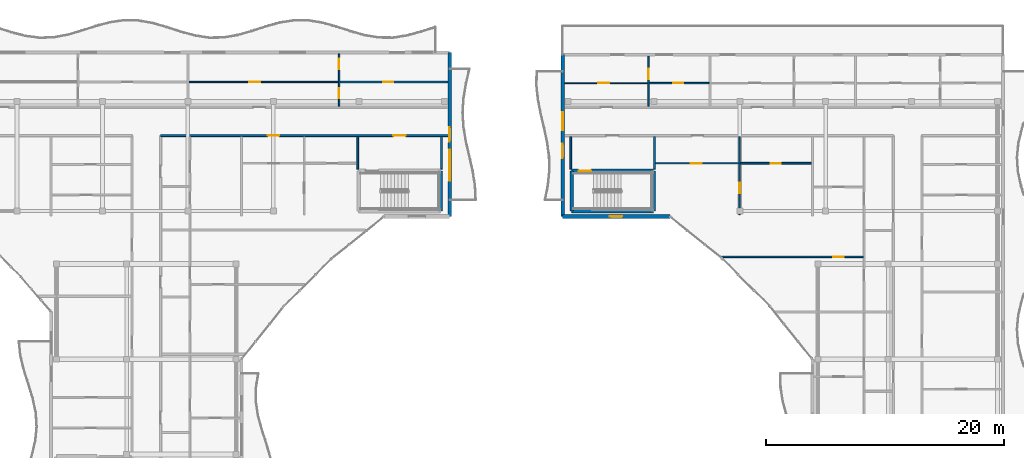
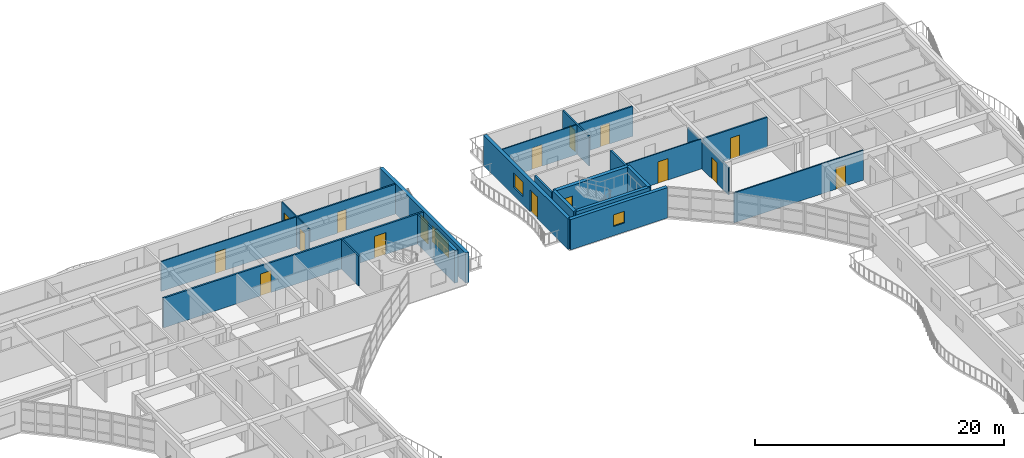
# One storey, part 24 of 39: 23 walls, 16 doors, 3 windows, 19 openings.
"""IFC4 building model written with IfcOpenShell, lengths in metres."""

from ifc_helpers import new_model, si_unit, direction, frame, frame_2d, origin, place, context, subcontext, project, spatial, rectangle, extrude, material, layer, layer_set, type_object, element, fill, save


model = new_model("IFC4")

# Units and contexts
model_context = context("Model", 3, precision=1e-05, world=origin(), true_north=direction((0.0, 1.0)))
body_context = subcontext(model_context, "Body", "Model", "MODEL_VIEW")
ifc_project = project(units=[si_unit("LENGTHUNIT", "METRE"), si_unit("AREAUNIT", "SQUARE_METRE"), si_unit("VOLUMEUNIT", "CUBIC_METRE"), si_unit("PLANEANGLEUNIT", "RADIAN"), si_unit("MASSUNIT", "GRAM", prefix="KILO")], contexts=[model_context])

# Site, building, storey
site_placement = place(None, origin())
site = spatial("IfcSite", under=ifc_project, at=site_placement, CompositionType="ELEMENT")
building_placement = place(site_placement, origin())
building = spatial("IfcBuilding", under=site, at=building_placement, Name="Keldmere Railside Commons", CompositionType="ELEMENT")
storey_placement = place(building_placement, frame((0.0, 0.0, 32.9599609375)))
storey = spatial("IfcBuildingStorey", under=building, at=storey_placement, Name="L10", CompositionType="ELEMENT", Elevation=32.9599609375)

# Wall, openings, doors
ifc_material_1 = material(Name="Acoustic Gypsum Board Partition", Category="gypsum")
ifc_layer_1 = layer(ifc_material_1, 0.1201171875, Name="Apartment Interior Partition 120")
ifc_layer_set_1 = layer_set([ifc_layer_1], Name="Acoustic Gypsum Board Partition")
wall_type_1 = type_object("IfcWallType", Name="Apartment Interior Partition 120", PredefinedType="PARTITIONING", material=ifc_layer_set_1)
wall_1_placement = place(storey_placement, frame((128.2099609375, 109.280029296875, 0.0), z_axis=(0.0, 0.0, 1.0), x_axis=(0.0, 1.0, 0.0)))
wall_1 = element("IfcWall", 1, at=wall_1_placement, inside=storey, type_object=wall_type_1, Name="IW-4 IW-L10-1343", PredefinedType="PARTITIONING", context=body_context, shape_type="SweptSolid", body=[
    extrude(rectangle(XDim=4.389892578125, YDim=0.1201171875, at=frame_2d((2.19482421875, 0.0))), origin(), (0.0, 0.0, 1.0), 2.93505859375),
])
opening_1_placement = place(wall_1_placement, frame((0.646484375, 0.0, 0.0)))
opening_1 = element("IfcOpeningElement", 2, at=opening_1_placement, cuts=wall_1, Name="Opening ID-04", PredefinedType="OPENING", context=body_context, shape_type="SweptSolid", body=[
    extrude(rectangle(XDim=0.860107421875, YDim=2.10009765625, at=frame_2d((0.43017578125, 1.050048828125))), frame((0.0, 0.070068359375, 0.0), z_axis=(0.0, -1.0, 0.0), x_axis=(1.0, 0.0, 0.0)), (0.0, 0.0, 1.0), 0.14013671875),
])
opening_2_placement = place(wall_1_placement, frame((3.08642578125, 0.0, 0.0)))
opening_2 = element("IfcOpeningElement", 3, at=opening_2_placement, cuts=wall_1, Name="Opening ID-01", PredefinedType="OPENING", context=body_context, shape_type="SweptSolid", body=[
    extrude(rectangle(XDim=0.89990234375, YDim=2.10009765625, at=frame_2d((0.449951171875, 1.050048828125))), frame((0.0, 0.070068359375, 0.0), z_axis=(0.0, -1.0, 0.0), x_axis=(1.0, 0.0, 0.0)), (0.0, 0.0, 1.0), 0.14013671875),
])
ifc_material_2 = material(Name="Engineered Oak Timber", Category="wood")
door_type_1 = type_object("IfcDoorType", Name="Apartment Bathroom Door 860x2100", OperationType="NOTDEFINED", PredefinedType="DOOR", material=ifc_material_2)
door_1_placement = place(opening_1_placement, origin())
door_1 = element("IfcDoor", 4, at=door_1_placement, inside=storey, type_object=door_type_1, Name="ID-04 IDR-L10-1201", OperationType="SINGLE_SWING_LEFT", OverallHeight=2.10009765625, OverallWidth=0.860107421875, PredefinedType="DOOR", context=body_context, shape_type="SweptSolid", body=[
    extrude(rectangle(XDim=0.860107421875, YDim=2.10009765625, at=frame_2d((0.43017578125, 1.050048828125))), frame((0.0, 0.02490234375, 0.0), z_axis=(0.0, -1.0, 0.0), x_axis=(1.0, 0.0, 0.0)), (0.0, 0.0, 1.0), 0.050048828125),
])
fill(opening_1, door_1)
door_type_2 = type_object("IfcDoorType", Name="Primary Bedroom Door 900x2100", OperationType="NOTDEFINED", PredefinedType="DOOR", material=ifc_material_2)
door_2_placement = place(opening_2_placement, origin())
door_2 = element("IfcDoor", 5, at=door_2_placement, inside=storey, type_object=door_type_2, Name="ID-01 IDR-L10-1202", OperationType="SINGLE_SWING_RIGHT", OverallHeight=2.10009765625, OverallWidth=0.89990234375, PredefinedType="DOOR", context=body_context, shape_type="SweptSolid", body=[
    extrude(rectangle(XDim=0.89990234375, YDim=2.10009765625, at=frame_2d((0.449951171875, 1.050048828125))), frame((0.0, 0.02490234375, 0.0), z_axis=(0.0, -1.0, 0.0), x_axis=(1.0, 0.0, 0.0)), (0.0, 0.0, 1.0), 0.050048828125),
])
fill(opening_2, door_2)

# Wall, opening, door
wall_2_placement = place(storey_placement, frame((160.28955078125, 96.610107421875, 0.0), z_axis=(0.0, 0.0, 1.0), x_axis=(1.0, 0.0, 0.0)))
wall_2 = element("IfcWall", 6, at=wall_2_placement, inside=storey, type_object=wall_type_1, Name="IW-4 IW-L10-1829", PredefinedType="PARTITIONING", context=body_context, shape_type="SweptSolid", body=[
    extrude(rectangle(XDim=11.990478515625, YDim=0.1201171875, at=frame_2d((5.9951171875, 0.0))), origin(), (0.0, 0.0, 1.0), 2.93505859375),
])
opening_3_placement = place(wall_2_placement, frame((9.446044921875, 0.0, 0.0)))
opening_3 = element("IfcOpeningElement", 7, at=opening_3_placement, cuts=wall_2, Name="Opening ID-01", PredefinedType="OPENING", context=body_context, shape_type="SweptSolid", body=[
    extrude(rectangle(XDim=0.89990234375, YDim=2.10009765625, at=frame_2d((0.449951171875, 1.050048828125))), frame((0.0, 0.070068359375, 0.0), z_axis=(0.0, -1.0, 0.0), x_axis=(1.0, 0.0, 0.0)), (0.0, 0.0, 1.0), 0.14013671875),
])
door_3_placement = place(opening_3_placement, origin())
door_3 = element("IfcDoor", 8, at=door_3_placement, inside=storey, type_object=door_type_2, Name="ID-01 IDR-L10-1671", OperationType="SINGLE_SWING_LEFT", OverallHeight=2.10009765625, OverallWidth=0.89990234375, PredefinedType="DOOR", context=body_context, shape_type="SweptSolid", body=[
    extrude(rectangle(XDim=0.89990234375, YDim=2.10009765625, at=frame_2d((0.449951171875, 1.050048828125))), frame((0.0, 0.02490234375, 0.0), z_axis=(0.0, -1.0, 0.0), x_axis=(1.0, 0.0, 0.0)), (0.0, 0.0, 1.0), 0.050048828125),
])
fill(opening_3, door_3)

wall_3_placement = place(storey_placement, frame((154.199951171875, 109.280029296875, 0.0), z_axis=(0.0, 0.0, 1.0), x_axis=(0.0, 1.0, 0.0)))
wall_3 = element("IfcWall", 9, at=wall_3_placement, inside=storey, type_object=wall_type_1, Name="IW-4 IW-L10-1833", PredefinedType="PARTITIONING", context=body_context, shape_type="SweptSolid", body=[
    extrude(rectangle(XDim=4.199951171875, YDim=0.1201171875, at=frame_2d((2.10009765625, 0.0))), origin(), (0.0, 0.0, 1.0), 2.93505859375),
])
opening_4_placement = place(wall_3_placement, frame((2.267578125, 0.0, 0.0)))
opening_4 = element("IfcOpeningElement", 10, at=opening_4_placement, cuts=wall_3, Name="Opening ID-04", PredefinedType="OPENING", context=body_context, shape_type="SweptSolid", body=[
    extrude(rectangle(XDim=0.860107421875, YDim=2.10009765625, at=frame_2d((0.43017578125, 1.050048828125))), frame((0.0, 0.070068359375, 0.0), z_axis=(0.0, -1.0, 0.0), x_axis=(1.0, 0.0, 0.0)), (0.0, 0.0, 1.0), 0.14013671875),
])
door_4_placement = place(opening_4_placement, origin())
door_4 = element("IfcDoor", 11, at=door_4_placement, inside=storey, type_object=door_type_1, Name="ID-04 IDR-L10-1675", OperationType="SINGLE_SWING_LEFT", OverallHeight=2.10009765625, OverallWidth=0.860107421875, PredefinedType="DOOR", context=body_context, shape_type="SweptSolid", body=[
    extrude(rectangle(XDim=0.860107421875, YDim=2.10009765625, at=frame_2d((0.43017578125, 1.050048828125))), frame((0.0, 0.02490234375, 0.0), z_axis=(0.0, -1.0, 0.0), x_axis=(1.0, 0.0, 0.0)), (0.0, 0.0, 1.0), 0.050048828125),
])
fill(opening_4, door_4)

wall_4_placement = place(storey_placement, frame((161.8798828125, 100.159912109375, 0.0), z_axis=(0.0, 0.0, 1.0), x_axis=(0.0, 1.0, 0.0)))
wall_4 = element("IfcWall", 12, at=wall_4_placement, inside=storey, type_object=wall_type_1, Name="IW-4 IW-L10-1842", PredefinedType="PARTITIONING", context=body_context, shape_type="SweptSolid", body=[
    extrude(rectangle(XDim=6.56005859375, YDim=0.1201171875, at=frame_2d((3.280029296875, 0.0))), origin(), (0.0, 0.0, 1.0), 2.679931640625),
])
opening_5_placement = place(wall_4_placement, frame((1.810302734375, 0.0, 0.0)))
opening_5 = element("IfcOpeningElement", 13, at=opening_5_placement, cuts=wall_4, Name="Opening ID-02", PredefinedType="OPENING", context=body_context, shape_type="SweptSolid", body=[
    extrude(rectangle(XDim=0.8798828125, YDim=2.10009765625, at=frame_2d((0.43994140625, 1.050048828125))), frame((0.0, 0.070068359375, 0.0), z_axis=(0.0, -1.0, 0.0), x_axis=(1.0, 0.0, 0.0)), (0.0, 0.0, 1.0), 0.14013671875),
])
door_type_3 = type_object("IfcDoorType", Name="Secondary Bedroom Door 880x2100", OperationType="NOTDEFINED", PredefinedType="DOOR", material=ifc_material_2)
door_5_placement = place(opening_5_placement, origin())
door_5 = element("IfcDoor", 14, at=door_5_placement, inside=storey, type_object=door_type_3, Name="ID-02 IDR-L10-1689", OperationType="SINGLE_SWING_LEFT", OverallHeight=2.10009765625, OverallWidth=0.8798828125, PredefinedType="DOOR", context=body_context, shape_type="SweptSolid", body=[
    extrude(rectangle(XDim=0.8798828125, YDim=2.10009765625, at=frame_2d((0.43994140625, 1.050048828125))), frame((0.0, 0.02490234375, 0.0), z_axis=(0.0, -1.0, 0.0), x_axis=(1.0, 0.0, 0.0)), (0.0, 0.0, 1.0), 0.050048828125),
])
fill(opening_5, door_5)

ifc_layer_2 = layer(ifc_material_1, 0.10009765625, Name="Closet Light Partition 100")
ifc_layer_set_2 = layer_set([ifc_layer_2], Name="Acoustic Gypsum Board Partition")
wall_type_2 = type_object("IfcWallType", Name="Closet Light Partition 100", PredefinedType="PARTITIONING", material=ifc_layer_set_2)
wall_5_placement = place(storey_placement, frame((115.590087890625, 111.300048828125, 0.0), z_axis=(0.0, 0.0, 1.0), x_axis=(1.0, 0.0, 0.0)))
wall_5 = element("IfcWall", 15, at=wall_5_placement, inside=storey, type_object=wall_type_2, Name="IW-6 IW-L10-1345", PredefinedType="PARTITIONING", context=body_context, shape_type="SweptSolid", body=[
    extrude(rectangle(XDim=12.559814453125, YDim=0.10009765625, at=frame_2d((6.27978515625, 0.0))), origin(), (0.0, 0.0, 1.0), 2.93505859375),
])
opening_6_placement = place(wall_5_placement, frame((5.048095703125, 0.0, 0.0)))
opening_6 = element("IfcOpeningElement", 16, at=opening_6_placement, cuts=wall_5, Name="Opening ID-03", PredefinedType="OPENING", context=body_context, shape_type="SweptSolid", body=[
    extrude(rectangle(XDim=0.919921875, YDim=2.10009765625, at=frame_2d((0.4599609375, 1.050048828125))), frame((0.0, 0.06005859375, 0.0), z_axis=(0.0, -1.0, 0.0), x_axis=(1.0, 0.0, 0.0)), (0.0, 0.0, 1.0), 0.1201171875),
])
door_type_4 = type_object("IfcDoorType", Name="Kitchen Pocket-Frame Swing Door 920x2100", OperationType="NOTDEFINED", PredefinedType="DOOR", material=ifc_material_2)
door_6_placement = place(opening_6_placement, origin())
door_6 = element("IfcDoor", 17, at=door_6_placement, inside=storey, type_object=door_type_4, Name="ID-03 IDR-L10-1200", OperationType="SINGLE_SWING_RIGHT", OverallHeight=2.10009765625, OverallWidth=0.919921875, PredefinedType="DOOR", context=body_context, shape_type="SweptSolid", body=[
    extrude(rectangle(XDim=0.919921875, YDim=2.10009765625, at=frame_2d((0.4599609375, 1.050048828125))), frame((0.0, 0.02490234375, 0.0), z_axis=(0.0, -1.0, 0.0), x_axis=(1.0, 0.0, 0.0)), (0.0, 0.0, 1.0), 0.050048828125),
])
fill(opening_6, door_6)

wall_6_placement = place(storey_placement, frame((147.159912109375, 111.2099609375, 0.0), z_axis=(0.0, 0.0, 1.0), x_axis=(1.0, 0.0, 0.0)))
wall_6 = element("IfcWall", 18, at=wall_6_placement, inside=storey, type_object=wall_type_2, Name="IW-6 IW-L10-1835", PredefinedType="PARTITIONING", context=body_context, shape_type="SweptSolid", body=[
    extrude(rectangle(XDim=6.97998046875, YDim=0.10009765625, at=frame_2d((3.489990234375, 0.0))), origin(), (0.0, 0.0, 1.0), 2.93505859375),
])
opening_7_placement = place(wall_6_placement, frame((2.81591796875, 0.0, 0.0)))
opening_7 = element("IfcOpeningElement", 19, at=opening_7_placement, cuts=wall_6, Name="Opening ID-03", PredefinedType="OPENING", context=body_context, shape_type="SweptSolid", body=[
    extrude(rectangle(XDim=0.919921875, YDim=2.10009765625, at=frame_2d((0.4599609375, 1.050048828125))), frame((0.0, 0.06005859375, 0.0), z_axis=(0.0, -1.0, 0.0), x_axis=(1.0, 0.0, 0.0)), (0.0, 0.0, 1.0), 0.1201171875),
])
door_7_placement = place(opening_7_placement, origin())
door_7 = element("IfcDoor", 20, at=door_7_placement, inside=storey, type_object=door_type_4, Name="ID-03 IDR-L10-1674", OperationType="SINGLE_SWING_RIGHT", OverallHeight=2.10009765625, OverallWidth=0.919921875, PredefinedType="DOOR", context=body_context, shape_type="SweptSolid", body=[
    extrude(rectangle(XDim=0.919921875, YDim=2.10009765625, at=frame_2d((0.4599609375, 1.050048828125))), frame((0.0, 0.02490234375, 0.0), z_axis=(0.0, -1.0, 0.0), x_axis=(1.0, 0.0, 0.0)), (0.0, 0.0, 1.0), 0.050048828125),
])
fill(opening_7, door_7)

wall_7_placement = place(storey_placement, frame((154.800048828125, 104.469970703125, 0.0), z_axis=(0.0, 0.0, 1.0), x_axis=(1.0, 0.0, 0.0)))
wall_7 = element("IfcWall", 21, at=wall_7_placement, inside=storey, type_object=wall_type_2, Name="IW-6 IW-L10-1844", PredefinedType="PARTITIONING", context=body_context, shape_type="SweptSolid", body=[
    extrude(rectangle(XDim=7.02001953125, YDim=0.10009765625, at=frame_2d((3.510009765625, 0.0))), origin(), (0.0, 0.0, 1.0), 2.93505859375),
])
opening_8_placement = place(wall_7_placement, frame((2.9736328125, 0.0, 0.0)))
opening_8 = element("IfcOpeningElement", 22, at=opening_8_placement, cuts=wall_7, Name="Opening ID-03", PredefinedType="OPENING", context=body_context, shape_type="SweptSolid", body=[
    extrude(rectangle(XDim=0.919921875, YDim=2.10009765625, at=frame_2d((0.4599609375, 1.050048828125))), frame((0.0, 0.06005859375, 0.0), z_axis=(0.0, -1.0, 0.0), x_axis=(1.0, 0.0, 0.0)), (0.0, 0.0, 1.0), 0.1201171875),
])
door_8_placement = place(opening_8_placement, origin())
door_8 = element("IfcDoor", 23, at=door_8_placement, inside=storey, type_object=door_type_4, Name="ID-03 IDR-L10-1688", OperationType="SINGLE_SWING_RIGHT", OverallHeight=2.10009765625, OverallWidth=0.919921875, PredefinedType="DOOR", context=body_context, shape_type="SweptSolid", body=[
    extrude(rectangle(XDim=0.919921875, YDim=2.10009765625, at=frame_2d((0.4599609375, 1.050048828125))), frame((0.0, 0.02490234375, 0.0), z_axis=(0.0, -1.0, 0.0), x_axis=(1.0, 0.0, 0.0)), (0.0, 0.0, 1.0), 0.050048828125),
])
fill(opening_8, door_8)

# Wall, openings, doors
ifc_layer_3 = layer(ifc_material_1, 0.159912109375, Name="Corridor Fire Partition 160")
ifc_layer_set_3 = layer_set([ifc_layer_3], Name="Acoustic Gypsum Board Partition")
wall_type_3 = type_object("IfcWallType", Name="Corridor Fire Partition 160", PredefinedType="PARTITIONING", material=ifc_layer_set_3)
wall_8_placement = place(storey_placement, frame((113.199951171875, 106.800048828125, 0.0), z_axis=(0.0, 0.0, 1.0), x_axis=(1.0, 0.0, 0.0)))
wall_8 = element("IfcWall", 24, at=wall_8_placement, inside=storey, type_object=wall_type_3, Name="IW-2 IW-L10-1322", PredefinedType="PARTITIONING", context=body_context, shape_type="SweptSolid", body=[
    extrude(rectangle(XDim=24.14013671875, YDim=0.159912109375, at=frame_2d((12.070068359375, 0.0))), origin(), (0.0, 0.0, 1.0), 2.93505859375),
])
opening_9_placement = place(wall_8_placement, frame((19.574951171875, 0.0, 0.0)))
opening_9 = element("IfcOpeningElement", 25, at=opening_9_placement, cuts=wall_8, Name="Opening FD-1", PredefinedType="OPENING", context=body_context, shape_type="SweptSolid", body=[
    extrude(rectangle(XDim=1.050048828125, YDim=2.14990234375, at=frame_2d((0.52490234375, 1.074951171875))), frame((0.0, 0.08984375, 0.0), z_axis=(0.0, -1.0, 0.0), x_axis=(1.0, 0.0, 0.0)), (0.0, 0.0, 1.0), 0.179931640625),
])
opening_10_placement = place(wall_8_placement, frame((8.9951171875, 0.0, 0.0)))
opening_10 = element("IfcOpeningElement", 26, at=opening_10_placement, cuts=wall_8, Name="Opening FD-7", PredefinedType="OPENING", context=body_context, shape_type="SweptSolid", body=[
    extrude(rectangle(XDim=0.97998046875, YDim=2.14990234375, at=frame_2d((0.489990234375, 1.074951171875))), frame((0.0, 0.08984375, 0.0), z_axis=(0.0, -1.0, 0.0), x_axis=(1.0, 0.0, 0.0)), (0.0, 0.0, 1.0), 0.179931640625),
])
door_type_5 = type_object("IfcDoorType", Name="Apartment Entrance Acoustic Fire Door 980x2150", OperationType="NOTDEFINED", PredefinedType="DOOR", material=ifc_material_2)
door_9_placement = place(opening_10_placement, origin())
door_9 = element("IfcDoor", 27, at=door_9_placement, inside=storey, type_object=door_type_5, Name="FD-7 IDR-L10-1204", OperationType="SINGLE_SWING_RIGHT", OverallHeight=2.14990234375, OverallWidth=0.97998046875, PredefinedType="DOOR", context=body_context, shape_type="SweptSolid", body=[
    extrude(rectangle(XDim=0.97998046875, YDim=2.14990234375, at=frame_2d((0.489990234375, 1.074951171875))), frame((0.0, 0.02490234375, 0.0), z_axis=(0.0, -1.0, 0.0), x_axis=(1.0, 0.0, 0.0)), (0.0, 0.0, 1.0), 0.050048828125),
])
fill(opening_10, door_9)
ifc_material_3 = material(Name="Steel F-24 (S235)", Category="steel")
door_type_6 = type_object("IfcDoorType", Name="Stair Core Fire Door 1050x2150", OperationType="NOTDEFINED", PredefinedType="DOOR", material=ifc_material_3)
door_10_placement = place(opening_9_placement, origin())
door_10 = element("IfcDoor", 28, at=door_10_placement, inside=storey, type_object=door_type_6, Name="FD-1 IDR-L10-1179", OperationType="SINGLE_SWING_LEFT", OverallHeight=2.14990234375, OverallWidth=1.050048828125, PredefinedType="DOOR", context=body_context, shape_type="SweptSolid", body=[
    extrude(rectangle(XDim=1.050048828125, YDim=2.14990234375, at=frame_2d((0.52490234375, 1.074951171875))), frame((0.0, 0.02490234375, 0.0), z_axis=(0.0, -1.0, 0.0), x_axis=(1.0, 0.0, 0.0)), (0.0, 0.0, 1.0), 0.050048828125),
])
fill(opening_9, door_10)

# Wall, openings, door, window
ifc_material_4 = material(Name="Concrete H-35 (C35/45)", Category="concrete")
ifc_layer_4 = layer(ifc_material_4, 0.320068359375, Name="Exterior Shear Wall 320")
ifc_layer_set_4 = layer_set([ifc_layer_4], Name="Concrete H-35 (C35/45)")
wall_type_4 = type_object("IfcWallType", Name="Exterior Shear Wall 320", PredefinedType="SHEAR", material=ifc_layer_set_4)
wall_9_placement = place(storey_placement, frame((137.5, 113.800048828125, 0.0), z_axis=(0.0, 0.0, 1.0), x_axis=(0.0, -1.0, 0.0)))
wall_9 = element("IfcWall", 29, at=wall_9_placement, inside=storey, type_object=wall_type_4, Name="ESW-2 EXTB-L10-0667", PredefinedType="SHEAR", context=body_context, shape_type="SweptSolid", body=[
    extrude(rectangle(XDim=13.800048828125, YDim=0.320068359375, at=frame_2d((6.89990234375, 0.0))), origin(), (0.0, 0.0, 1.0), 2.97998046875),
])
opening_11_placement = place(wall_9_placement, frame((6.300048828125, 0.0, 0.0)))
opening_11 = element("IfcOpeningElement", 30, at=opening_11_placement, cuts=wall_9, Name="Opening BD-01", PredefinedType="OPENING", context=body_context, shape_type="SweptSolid", body=[
    extrude(rectangle(XDim=1.199951171875, YDim=2.199951171875, at=frame_2d((0.60009765625, 1.10009765625))), frame((0.0, 0.169921875, 0.0), z_axis=(0.0, -1.0, 0.0), x_axis=(1.0, 0.0, 0.0)), (0.0, 0.0, 1.0), 0.340087890625),
])
opening_12_placement = place(wall_9_placement, frame((8.199951171875, 0.0, 0.669921875)))
opening_12 = element("IfcOpeningElement", 31, at=opening_12_placement, cuts=wall_9, Name="Opening WN-39", PredefinedType="OPENING", context=body_context, shape_type="SweptSolid", body=[
    extrude(rectangle(XDim=2.60009765625, YDim=1.550048828125, at=frame_2d((1.300048828125, 0.77490234375))), frame((0.0, 0.169921875, 0.0), z_axis=(0.0, -1.0, 0.0), x_axis=(1.0, 0.0, 0.0)), (0.0, 0.0, 1.0), 0.340087890625),
])
ifc_material_5 = material(Name="Thermally Broken Aluminium", Category="aluminium")
door_type_7 = type_object("IfcDoorType", Name="Apartment Living Wave-Balcony Glazed Door 1200x2200", OperationType="NOTDEFINED", PredefinedType="DOOR", material=ifc_material_5)
door_11_placement = place(opening_11_placement, origin())
door_11 = element("IfcDoor", 32, at=door_11_placement, inside=storey, type_object=door_type_7, Name="BD-01 DR-L10-0200", OperationType="SINGLE_SWING_RIGHT", OverallHeight=2.199951171875, OverallWidth=1.199951171875, PredefinedType="DOOR", context=body_context, shape_type="SweptSolid", body=[
    extrude(rectangle(XDim=1.199951171875, YDim=2.199951171875, at=frame_2d((0.60009765625, 1.10009765625))), frame((0.0, 0.02490234375, 0.0), z_axis=(0.0, -1.0, 0.0), x_axis=(1.0, 0.0, 0.0)), (0.0, 0.0, 1.0), 0.050048828125),
])
fill(opening_11, door_11)
ifc_material_6 = material(Name="Low-E Insulated Double Glazing", Category="glass")
window_type_1 = type_object("IfcWindowType", Name="Three-Bed Corner Living Window 2600x1550", PartitioningType="SINGLE_PANEL", PredefinedType="WINDOW", material=ifc_material_6)
window_1_placement = place(opening_12_placement, origin())
window_1 = element("IfcWindow", 33, at=window_1_placement, inside=storey, type_object=window_type_1, Name="WN-39 WIN-L10-0530", OverallHeight=1.550048828125, OverallWidth=2.60009765625, PartitioningType="SINGLE_PANEL", PredefinedType="WINDOW", context=body_context, shape_type="SweptSolid", body=[
    extrude(rectangle(XDim=2.60009765625, YDim=1.550048828125, at=frame_2d((1.300048828125, 0.77490234375))), frame((0.0, 0.030029296875, 0.0), z_axis=(0.0, -1.0, 0.0), x_axis=(1.0, 0.0, 0.0)), (0.0, 0.0, 1.0), 0.06005859375),
])
fill(opening_12, window_1)

wall_10_placement = place(storey_placement, frame((147.0, 100.0, 0.0), z_axis=(0.0, 0.0, 1.0), x_axis=(0.0, 1.0, 0.0)))
wall_10 = element("IfcWall", 34, at=wall_10_placement, inside=storey, type_object=wall_type_4, Name="ESW-2 EXTA-L10-0948", PredefinedType="SHEAR", context=body_context, shape_type="SweptSolid", body=[
    extrude(rectangle(XDim=13.60009765625, YDim=0.320068359375, at=frame_2d((6.800048828125, 0.0))), origin(), (0.0, 0.0, 1.0), 2.97998046875),
])
opening_13_placement = place(wall_10_placement, frame((4.89990234375, 0.0, 0.0)))
opening_13 = element("IfcOpeningElement", 35, at=opening_13_placement, cuts=wall_10, Name="Opening BD-01", PredefinedType="OPENING", context=body_context, shape_type="SweptSolid", body=[
    extrude(rectangle(XDim=1.199951171875, YDim=2.199951171875, at=frame_2d((0.60009765625, 1.10009765625))), frame((0.0, 0.169921875, 0.0), z_axis=(0.0, -1.0, 0.0), x_axis=(1.0, 0.0, 0.0)), (0.0, 0.0, 1.0), 0.340087890625),
])
opening_14_placement = place(wall_10_placement, frame((7.25, 0.0, 0.820068359375)))
opening_14 = element("IfcOpeningElement", 36, at=opening_14_placement, cuts=wall_10, Name="Opening WN-06", PredefinedType="OPENING", context=body_context, shape_type="SweptSolid", body=[
    extrude(rectangle(XDim=1.5, YDim=1.39990234375, at=frame_2d((0.75, 0.699951171875))), frame((0.0, 0.169921875, 0.0), z_axis=(0.0, -1.0, 0.0), x_axis=(1.0, 0.0, 0.0)), (0.0, 0.0, 1.0), 0.340087890625),
])
door_12_placement = place(opening_13_placement, origin())
door_12 = element("IfcDoor", 37, at=door_12_placement, inside=storey, type_object=door_type_7, Name="BD-01 DR-L10-0277", OperationType="SINGLE_SWING_LEFT", OverallHeight=2.199951171875, OverallWidth=1.199951171875, PredefinedType="DOOR", context=body_context, shape_type="SweptSolid", body=[
    extrude(rectangle(XDim=1.199951171875, YDim=2.199951171875, at=frame_2d((0.60009765625, 1.10009765625))), frame((0.0, 0.02490234375, 0.0), z_axis=(0.0, -1.0, 0.0), x_axis=(1.0, 0.0, 0.0)), (0.0, 0.0, 1.0), 0.050048828125),
])
fill(opening_13, door_12)
window_type_2 = type_object("IfcWindowType", Name="Primary Bedroom North Window 1500x1400", PartitioningType="SINGLE_PANEL", PredefinedType="WINDOW", material=ifc_material_6)
window_2_placement = place(opening_14_placement, origin())
window_2 = element("IfcWindow", 38, at=window_2_placement, inside=storey, type_object=window_type_2, Name="WN-06 WIN-L10-0767", OverallHeight=1.39990234375, OverallWidth=1.5, PartitioningType="SINGLE_PANEL", PredefinedType="WINDOW", context=body_context, shape_type="SweptSolid", body=[
    extrude(rectangle(XDim=1.5, YDim=1.39990234375, at=frame_2d((0.75, 0.699951171875))), frame((0.0, 0.030029296875, 0.0), z_axis=(0.0, -1.0, 0.0), x_axis=(1.0, 0.0, 0.0)), (0.0, 0.0, 1.0), 0.06005859375),
])
fill(opening_14, window_2)

# Wall, opening, window
wall_11_placement = place(storey_placement, frame((156.0, 100.0, 0.0), z_axis=(0.0, 0.0, 1.0), x_axis=(-1.0, 0.0, 0.0)))
wall_11 = element("IfcWall", 39, at=wall_11_placement, inside=storey, type_object=wall_type_4, Name="ESW-2 EXTA-L10-0949", PredefinedType="SHEAR", context=body_context, shape_type="SweptSolid", body=[
    extrude(rectangle(XDim=9.0, YDim=0.320068359375, at=frame_2d((4.5, 0.0))), origin(), (0.0, 0.0, 1.0), 2.97998046875),
])
opening_15_placement = place(wall_11_placement, frame((3.97509765625, 0.0, 0.89990234375)))
opening_15 = element("IfcOpeningElement", 40, at=opening_15_placement, cuts=wall_11, Name="Opening WN-13", PredefinedType="OPENING", context=body_context, shape_type="SweptSolid", body=[
    extrude(rectangle(XDim=1.050048828125, YDim=1.14990234375, at=frame_2d((0.52490234375, 0.574951171875))), frame((0.0, 0.169921875, 0.0), z_axis=(0.0, -1.0, 0.0), x_axis=(1.0, 0.0, 0.0)), (0.0, 0.0, 1.0), 0.340087890625),
])
window_type_3 = type_object("IfcWindowType", Name="Apartment Kitchen Casement Window 1050x1150", PartitioningType="SINGLE_PANEL", PredefinedType="WINDOW", material=ifc_material_6)
window_3_placement = place(opening_15_placement, origin())
window_3 = element("IfcWindow", 41, at=window_3_placement, inside=storey, type_object=window_type_3, Name="WN-13 WIN-L10-0768", OverallHeight=1.14990234375, OverallWidth=1.050048828125, PartitioningType="SINGLE_PANEL", PredefinedType="WINDOW", context=body_context, shape_type="SweptSolid", body=[
    extrude(rectangle(XDim=1.050048828125, YDim=1.14990234375, at=frame_2d((0.52490234375, 0.574951171875))), frame((0.0, 0.030029296875, 0.0), z_axis=(0.0, -1.0, 0.0), x_axis=(1.0, 0.0, 0.0)), (0.0, 0.0, 1.0), 0.06005859375),
])
fill(opening_15, window_3)

# Walls
ifc_layer_5 = layer(ifc_material_4, 0.300048828125, Name="Interior Shear Wall 300")
ifc_layer_set_5 = layer_set([ifc_layer_5], Name="Concrete H-35 (C35/45)")
wall_type_5 = type_object("IfcWallType", Name="Interior Shear Wall 300", PredefinedType="SHEAR", material=ifc_layer_set_5)
wall_12_placement = place(storey_placement, frame((136.75, 100.449951171875, 0.0), z_axis=(0.0, 0.0, 1.0), x_axis=(0.0, 1.0, 0.0)))
element("IfcWall", 42, at=wall_12_placement, inside=storey, type_object=wall_type_5, Name="ISW-2 COREB2E-L10-0563", PredefinedType="SHEAR", context=body_context, shape_type="SweptSolid", body=[
    extrude(rectangle(XDim=3.3701171875, YDim=0.300048828125, at=frame_2d((1.68505859375, 0.0))), origin(), (0.0, 0.0, 1.0), 3.199951171875),
])
wall_13_placement = place(storey_placement, frame((147.75, 100.449951171875, 0.0), z_axis=(0.0, 0.0, 1.0), x_axis=(1.0, 0.0, 0.0)))
element("IfcWall", 43, at=wall_13_placement, inside=storey, type_object=wall_type_5, Name="ISW-2 COREA2S-L10-0836", PredefinedType="SHEAR", context=body_context, shape_type="SweptSolid", body=[
    extrude(rectangle(XDim=6.89990234375, YDim=0.300048828125, at=frame_2d((3.449951171875, 0.0))), origin(), (0.0, 0.0, 1.0), 3.199951171875),
])
for number, where, z_axis, x_axis, name in (
    (44, (147.75, 103.820068359375, 0.0), (0.0, 0.0, 1.0), (0.0, -1.0, 0.0), "ISW-2 COREA2W-L10-0838"),
    (45, (154.64990234375, 100.449951171875, 0.0), (0.0, 0.0, 1.0), (0.0, 1.0, 0.0), "ISW-2 COREA2E-L10-0839"),
):
    element("IfcWall", number, at=place(storey_placement, frame(where, z_axis=z_axis, x_axis=x_axis)), inside=storey, type_object=wall_type_5, Name=name, PredefinedType="SHEAR", context=body_context, shape_type="SweptSolid", body=[
        extrude(rectangle(XDim=3.3701171875, YDim=0.300048828125, at=frame_2d((1.68505859375, 0.0))), origin(), (0.0, 0.0, 1.0), 3.199951171875),
    ])

# Wall, opening, door
ifc_layer_6 = layer(ifc_material_4, 0.340087890625, Name="Interior Shear Wall 340")
ifc_layer_set_6 = layer_set([ifc_layer_6], Name="Concrete H-35 (C35/45)")
wall_type_6 = type_object("IfcWallType", Name="Interior Shear Wall 340", PredefinedType="SHEAR", material=ifc_layer_set_6)
wall_14_placement = place(storey_placement, frame((154.64990234375, 103.820068359375, 0.0), z_axis=(0.0, 0.0, 1.0), x_axis=(-1.0, 0.0, 0.0)))
wall_14 = element("IfcWall", 46, at=wall_14_placement, inside=storey, type_object=wall_type_6, Name="ISW-1 COREA2N-L10-0837", PredefinedType="SHEAR", context=body_context, shape_type="SweptSolid", body=[
    extrude(rectangle(XDim=6.89990234375, YDim=0.340087890625, at=frame_2d((3.449951171875, 0.0))), origin(), (0.0, 0.0, 1.0), 3.199951171875),
])
opening_16_placement = place(wall_14_placement, frame((5.25, 0.0, 0.0)))
opening_16 = element("IfcOpeningElement", 47, at=opening_16_placement, cuts=wall_14, Name="Opening FD-1", PredefinedType="OPENING", context=body_context, shape_type="SweptSolid", body=[
    extrude(rectangle(XDim=1.050048828125, YDim=2.14990234375, at=frame_2d((0.52490234375, 1.074951171875))), frame((0.0, 0.179931640625, 0.0), z_axis=(0.0, -1.0, 0.0), x_axis=(1.0, 0.0, 0.0)), (0.0, 0.0, 1.0), 0.360107421875),
])
door_13_placement = place(opening_16_placement, origin())
door_13 = element("IfcDoor", 48, at=door_13_placement, inside=storey, type_object=door_type_6, Name="FD-1 A2 L10", OperationType="SINGLE_SWING_RIGHT", OverallHeight=2.14990234375, OverallWidth=1.050048828125, PredefinedType="DOOR", context=body_context, shape_type="SweptSolid", body=[
    extrude(rectangle(XDim=1.050048828125, YDim=2.14990234375, at=frame_2d((0.52490234375, 1.074951171875))), frame((0.0, 0.02490234375, 0.0), z_axis=(0.0, -1.0, 0.0), x_axis=(1.0, 0.0, 0.0)), (0.0, 0.0, 1.0), 0.050048828125),
])
fill(opening_16, door_13)

# Walls
ifc_layer_7 = layer(ifc_material_1, 0.14990234375, Name="Lobby Rated Partition 150")
ifc_layer_set_7 = layer_set([ifc_layer_7], Name="Acoustic Gypsum Board Partition")
wall_type_7 = type_object("IfcWallType", Name="Lobby Rated Partition 150", PredefinedType="PARTITIONING", material=ifc_layer_set_7)
for number, where, z_axis, x_axis, name in (
    (49, (129.780029296875, 103.989990234375, 0.0), (0.0, 0.0, 1.0), (0.0, 1.0, 0.0), "IW-3 IW-L10-1326"),
    (50, (136.820068359375, 103.989990234375, 0.0), (0.0, 0.0, 1.0), (0.0, 1.0, 0.0), "IW-3 IW-L10-1327"),
    (51, (147.679931640625, 103.989990234375, 0.0), (0.0, 0.0, 1.0), (0.0, 1.0, 0.0), "IW-3 IW-L10-1813"),
    (52, (154.719970703125, 103.989990234375, 0.0), (0.0, 0.0, 1.0), (0.0, 1.0, 0.0), "IW-3 IW-L10-1814"),
):
    element("IfcWall", number, at=place(storey_placement, frame(where, z_axis=z_axis, x_axis=x_axis)), inside=storey, type_object=wall_type_7, Name=name, PredefinedType="PARTITIONING", context=body_context, shape_type="SweptSolid", body=[
        extrude(rectangle(XDim=2.72998046875, YDim=0.14990234375, at=frame_2d((1.364990234375, 0.0))), origin(), (0.0, 0.0, 1.0), 2.93505859375),
    ])

# Wall, opening, door
ifc_layer_8 = layer(ifc_material_1, 0.139892578125, Name="Wet-Room Sanitary Partition 140")
ifc_layer_set_8 = layer_set([ifc_layer_8], Name="Acoustic Gypsum Board Partition")
wall_type_8 = type_object("IfcWallType", Name="Wet-Room Sanitary Partition 140", PredefinedType="PARTITIONING", material=ifc_layer_set_8)
wall_15_placement = place(storey_placement, frame((128.27001953125, 111.300048828125, 0.0), z_axis=(0.0, 0.0, 1.0), x_axis=(1.0, 0.0, 0.0)))
wall_15 = element("IfcWall", 53, at=wall_15_placement, inside=storey, type_object=wall_type_8, Name="IW-5 IW-L10-1344", PredefinedType="PARTITIONING", context=body_context, shape_type="SweptSolid", body=[
    extrude(rectangle(XDim=9.070068359375, YDim=0.139892578125, at=frame_2d((4.53515625, 0.0))), origin(), (0.0, 0.0, 1.0), 2.93505859375),
])
opening_17_placement = place(wall_15_placement, frame((3.652099609375, 0.0, 0.0)))
opening_17 = element("IfcOpeningElement", 54, at=opening_17_placement, cuts=wall_15, Name="Opening ID-06", PredefinedType="OPENING", context=body_context, shape_type="SweptSolid", body=[
    extrude(rectangle(XDim=0.85009765625, YDim=2.050048828125, at=frame_2d((0.425048828125, 1.02490234375))), frame((0.0, 0.079833984375, 0.0), z_axis=(0.0, -1.0, 0.0), x_axis=(1.0, 0.0, 0.0)), (0.0, 0.0, 1.0), 0.159912109375),
])
door_type_8 = type_object("IfcDoorType", Name="Storage Closet Door 850x2050", OperationType="NOTDEFINED", PredefinedType="DOOR", material=ifc_material_2)
door_14_placement = place(opening_17_placement, origin())
door_14 = element("IfcDoor", 55, at=door_14_placement, inside=storey, type_object=door_type_8, Name="ID-06 IDR-L10-1203", OperationType="SINGLE_SWING_LEFT", OverallHeight=2.050048828125, OverallWidth=0.85009765625, PredefinedType="DOOR", context=body_context, shape_type="SweptSolid", body=[
    extrude(rectangle(XDim=0.85009765625, YDim=2.050048828125, at=frame_2d((0.425048828125, 1.02490234375))), frame((0.0, 0.02490234375, 0.0), z_axis=(0.0, -1.0, 0.0), x_axis=(1.0, 0.0, 0.0)), (0.0, 0.0, 1.0), 0.050048828125),
])
fill(opening_17, door_14)

wall_16_placement = place(storey_placement, frame((154.260009765625, 111.2099609375, 0.0), z_axis=(0.0, 0.0, 1.0), x_axis=(1.0, 0.0, 0.0)))
wall_16 = element("IfcWall", 56, at=wall_16_placement, inside=storey, type_object=wall_type_8, Name="IW-5 IW-L10-1834", PredefinedType="PARTITIONING", context=body_context, shape_type="SweptSolid", body=[
    extrude(rectangle(XDim=5.0400390625, YDim=0.139892578125, at=frame_2d((2.52001953125, 0.0))), origin(), (0.0, 0.0, 1.0), 2.93505859375),
])
opening_18_placement = place(wall_16_placement, frame((2.0400390625, 0.0, 0.0)))
opening_18 = element("IfcOpeningElement", 57, at=opening_18_placement, cuts=wall_16, Name="Opening ID-06", PredefinedType="OPENING", context=body_context, shape_type="SweptSolid", body=[
    extrude(rectangle(XDim=0.85009765625, YDim=2.050048828125, at=frame_2d((0.425048828125, 1.02490234375))), frame((0.0, 0.079833984375, 0.0), z_axis=(0.0, -1.0, 0.0), x_axis=(1.0, 0.0, 0.0)), (0.0, 0.0, 1.0), 0.159912109375),
])
door_15_placement = place(opening_18_placement, origin())
door_15 = element("IfcDoor", 58, at=door_15_placement, inside=storey, type_object=door_type_8, Name="ID-06 IDR-L10-1676", OperationType="SINGLE_SWING_RIGHT", OverallHeight=2.050048828125, OverallWidth=0.85009765625, PredefinedType="DOOR", context=body_context, shape_type="SweptSolid", body=[
    extrude(rectangle(XDim=0.85009765625, YDim=2.050048828125, at=frame_2d((0.425048828125, 1.02490234375))), frame((0.0, 0.02490234375, 0.0), z_axis=(0.0, -1.0, 0.0), x_axis=(1.0, 0.0, 0.0)), (0.0, 0.0, 1.0), 0.050048828125),
])
fill(opening_18, door_15)

wall_17_placement = place(storey_placement, frame((161.93994140625, 104.469970703125, 0.0), z_axis=(0.0, 0.0, 1.0), x_axis=(1.0, 0.0, 0.0)))
wall_17 = element("IfcWall", 59, at=wall_17_placement, inside=storey, type_object=wall_type_8, Name="IW-5 IW-L10-1843", PredefinedType="PARTITIONING", context=body_context, shape_type="SweptSolid", body=[
    extrude(rectangle(XDim=5.969970703125, YDim=0.139892578125, at=frame_2d((2.98486328125, 0.0))), origin(), (0.0, 0.0, 1.0), 2.93505859375),
])
opening_19_placement = place(wall_17_placement, frame((2.53271484375, 0.0, 0.0)))
opening_19 = element("IfcOpeningElement", 60, at=opening_19_placement, cuts=wall_17, Name="Opening ID-04", PredefinedType="OPENING", context=body_context, shape_type="SweptSolid", body=[
    extrude(rectangle(XDim=0.860107421875, YDim=2.10009765625, at=frame_2d((0.43017578125, 1.050048828125))), frame((0.0, 0.079833984375, 0.0), z_axis=(0.0, -1.0, 0.0), x_axis=(1.0, 0.0, 0.0)), (0.0, 0.0, 1.0), 0.159912109375),
])
door_16_placement = place(opening_19_placement, origin())
door_16 = element("IfcDoor", 61, at=door_16_placement, inside=storey, type_object=door_type_1, Name="ID-04 IDR-L10-1690", OperationType="SINGLE_SWING_RIGHT", OverallHeight=2.10009765625, OverallWidth=0.860107421875, PredefinedType="DOOR", context=body_context, shape_type="SweptSolid", body=[
    extrude(rectangle(XDim=0.860107421875, YDim=2.10009765625, at=frame_2d((0.43017578125, 1.050048828125))), frame((0.0, 0.02490234375, 0.0), z_axis=(0.0, -1.0, 0.0), x_axis=(1.0, 0.0, 0.0)), (0.0, 0.0, 1.0), 0.050048828125),
])
fill(opening_19, door_16)

save(model, "model.ifc")
